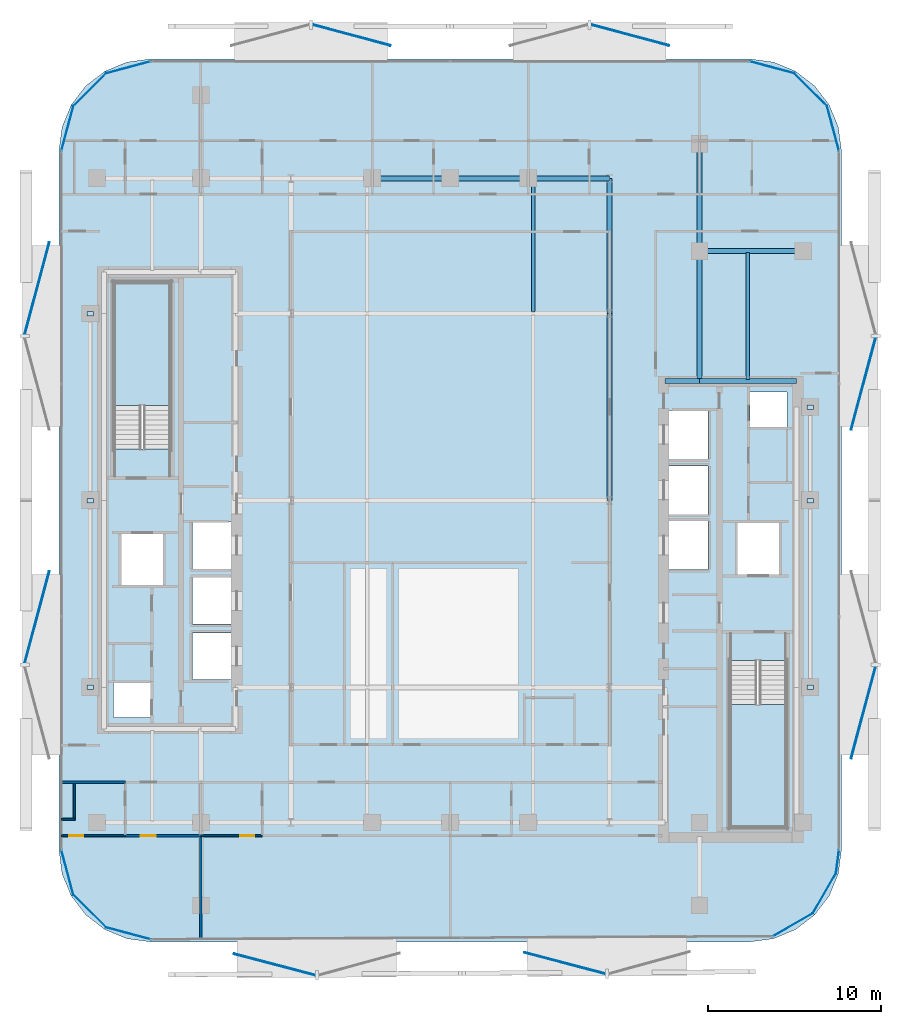
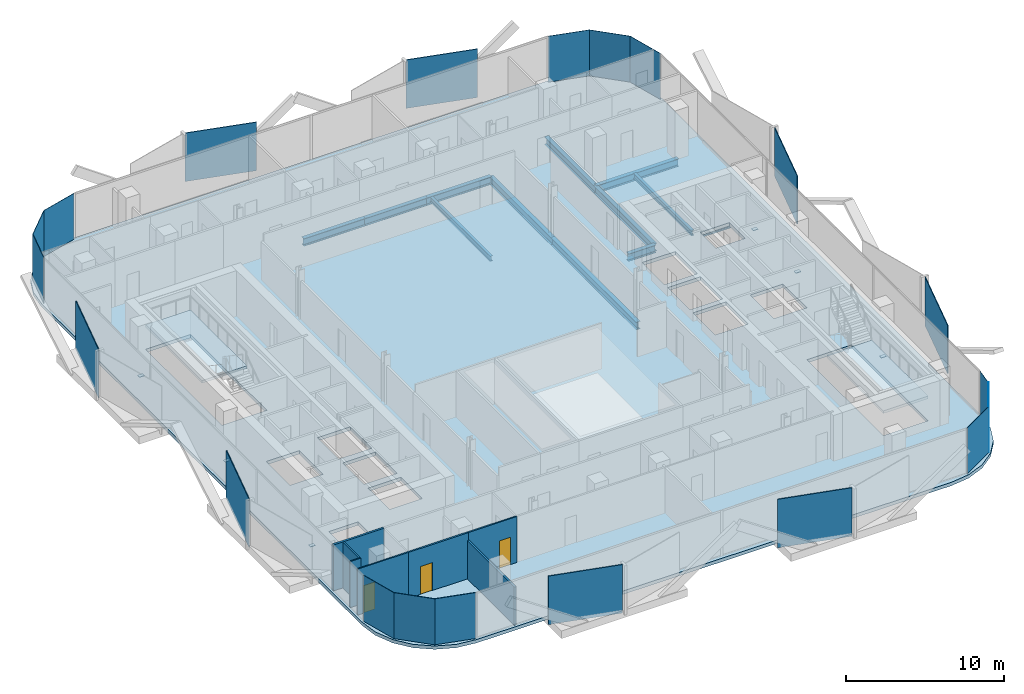
# One storey, part 2 of 17: 26 plates, 12 beams, 7 walls, 3 doors, 3 slabs, 3 openings, 2 elements without a shape of their own.
"""IFC4 building model written with IfcOpenShell, lengths in metres."""

from ifc_helpers import new_model, si_unit, direction, frame, frame_2d, origin, origin_2d, place, context, subcontext, project, spatial, polyline, rectangle, i_section, outline, extrude, material, layer, layer_set, material_profile, profile_set, type_object, element, fill, aggregate, save


model = new_model("IFC4")

# Units and contexts
model_context = context("Model", 3, precision=1e-05, world=origin(), true_north=direction((0.0, 1.0)))
body_context = subcontext(model_context, "Body", "Model", "MODEL_VIEW")
ifc_project = project(units=[si_unit("LENGTHUNIT", "METRE"), si_unit("AREAUNIT", "SQUARE_METRE"), si_unit("VOLUMEUNIT", "CUBIC_METRE"), si_unit("PLANEANGLEUNIT", "RADIAN"), si_unit("MASSUNIT", "GRAM", prefix="KILO")], contexts=[model_context])

# Site, building, storey
site_placement = place(None, origin())
site = spatial("IfcSite", under=ifc_project, at=site_placement, CompositionType="ELEMENT")
building_placement = place(site_placement, origin())
building = spatial("IfcBuilding", under=site, at=building_placement, Name="Khairoan Windgate Tower", CompositionType="ELEMENT")
storey_placement = place(building_placement, frame((0.0, 0.0, 168.800048828125)))
storey = spatial("IfcBuildingStorey", under=building, at=storey_placement, Name="L38", CompositionType="ELEMENT", Elevation=168.800048828125)

# Beams
ifc_material_1 = material(Name="Steel S355", Category="steel")
ifc_material_profile_1 = material_profile(ifc_material_1, i_section(OverallWidth=0.300048828125, OverallDepth=0.587890625, WebThickness=0.011962890625, FlangeThickness=0.02001953125, FilletRadius=0.02392578125, at=origin_2d()))
ifc_profile_set_1 = profile_set([ifc_material_profile_1], Name="Steel S355")
beam_type_1 = type_object("IfcBeamType", Name="Beam B-G4 H588x300x12x20", PredefinedType="BEAM", material=ifc_profile_set_1)
beam_1_placement = place(storey_placement, frame((12.39990234375, 6.89990234375, -0.553955078125), z_axis=(1.0, 0.0, 0.0), x_axis=(0.0, 1.0, 0.0)))
element("IfcBeam", 1, at=beam_1_placement, inside=storey, type_object=beam_type_1, Name="L38 E-W Primary Girder 15", PredefinedType="BEAM", context=body_context, shape_type="SweptSolid", body=[
    extrude(i_section(OverallWidth=0.300048828125, OverallDepth=0.587890625, WebThickness=0.011962890625, FlangeThickness=0.02001953125, FilletRadius=0.02392578125, at=origin_2d()), origin(), (0.0, 0.0, 1.0), 2.0),
])
beam_2_placement = place(storey_placement, frame((14.39990234375, 6.89990234375, -0.553955078125), z_axis=(1.0, 0.0, 0.0), x_axis=(0.0, 1.0, 0.0)))
element("IfcBeam", 2, at=beam_2_placement, inside=storey, type_object=beam_type_1, Name="L38 E-W Primary Girder 16", PredefinedType="BEAM", context=body_context, shape_type="SweptSolid", body=[
    extrude(i_section(OverallWidth=0.300048828125, OverallDepth=0.587890625, WebThickness=0.011962890625, FlangeThickness=0.02001953125, FilletRadius=0.02392578125, at=origin_2d()), origin(), (0.0, 0.0, 1.0), 5.60009765625),
])
beam_3_placement = place(storey_placement, frame((14.39990234375, 14.39990234375, -0.553955078125), z_axis=(1.0, 0.0, 0.0), x_axis=(0.0, 1.0, 0.0)))
element("IfcBeam", 3, at=beam_3_placement, inside=storey, type_object=beam_type_1, Name="L38 E-W Primary Girder 21", PredefinedType="BEAM", context=body_context, shape_type="SweptSolid", body=[
    extrude(i_section(OverallWidth=0.300048828125, OverallDepth=0.587890625, WebThickness=0.011962890625, FlangeThickness=0.02001953125, FilletRadius=0.02392578125, at=origin_2d()), origin(), (0.0, 0.0, 1.0), 6.0),
])
for number, where, z_axis, x_axis, name in (
    (4, (-4.5, 18.60009765625, -0.553955078125), (1.0, 0.0, 0.0), (0.0, 1.0, 0.0), "L38 E-W Primary Girder 25"),
    (5, (0.0, 18.60009765625, -0.553955078125), (1.0, 0.0, 0.0), (0.0, 1.0, 0.0), "L38 E-W Primary Girder 26"),
):
    element("IfcBeam", number, at=place(storey_placement, frame(where, z_axis=z_axis, x_axis=x_axis)), inside=storey, type_object=beam_type_1, Name=name, PredefinedType="BEAM", context=body_context, shape_type="SweptSolid", body=[
        extrude(i_section(OverallWidth=0.300048828125, OverallDepth=0.587890625, WebThickness=0.011962890625, FlangeThickness=0.02001953125, FilletRadius=0.02392578125, at=origin_2d()), origin(), (0.0, 0.0, 1.0), 4.5),
    ])
beam_4_placement = place(storey_placement, frame((4.5, 18.60009765625, -0.553955078125), z_axis=(1.0, 0.0, 0.0), x_axis=(0.0, 1.0, 0.0)))
element("IfcBeam", 6, at=beam_4_placement, inside=storey, type_object=beam_type_1, Name="L38 E-W Primary Girder 27", PredefinedType="BEAM", context=body_context, shape_type="SweptSolid", body=[
    extrude(i_section(OverallWidth=0.300048828125, OverallDepth=0.587890625, WebThickness=0.011962890625, FlangeThickness=0.02001953125, FilletRadius=0.02392578125, at=origin_2d()), origin(), (0.0, 0.0, 1.0), 4.699951171875),
])
beam_5_placement = place(storey_placement, frame((9.199951171875, 0.0, -0.553955078125), z_axis=(0.0, 1.0, 0.0), x_axis=(-1.0, 0.0, 0.0)))
element("IfcBeam", 7, at=beam_5_placement, inside=storey, type_object=beam_type_1, Name="L38 N-S Primary Beam 47", PredefinedType="BEAM", context=body_context, shape_type="SweptSolid", body=[
    extrude(i_section(OverallWidth=0.300048828125, OverallDepth=0.587890625, WebThickness=0.011962890625, FlangeThickness=0.02001953125, FilletRadius=0.02392578125, at=origin_2d()), origin(), (0.0, 0.0, 1.0), 10.800048828125),
])
beam_6_placement = place(storey_placement, frame((9.199951171875, 10.800048828125, -0.553955078125), z_axis=(0.0, 1.0, 0.0), x_axis=(-1.0, 0.0, 0.0)))
element("IfcBeam", 8, at=beam_6_placement, inside=storey, type_object=beam_type_1, Name="L38 N-S Primary Beam 48", PredefinedType="BEAM", context=body_context, shape_type="SweptSolid", body=[
    extrude(i_section(OverallWidth=0.300048828125, OverallDepth=0.587890625, WebThickness=0.011962890625, FlangeThickness=0.02001953125, FilletRadius=0.02392578125, at=origin_2d()), origin(), (0.0, 0.0, 1.0), 7.800048828125),
])
beam_7_placement = place(storey_placement, frame((14.39990234375, 6.89990234375, -0.553955078125), z_axis=(0.0, 1.0, 0.0), x_axis=(-1.0, 0.0, 0.0)))
element("IfcBeam", 9, at=beam_7_placement, inside=storey, type_object=beam_type_1, Name="L38 N-S Primary Beam 51", PredefinedType="BEAM", context=body_context, shape_type="SweptSolid", body=[
    extrude(i_section(OverallWidth=0.300048828125, OverallDepth=0.587890625, WebThickness=0.011962890625, FlangeThickness=0.02001953125, FilletRadius=0.02392578125, at=origin_2d()), origin(), (0.0, 0.0, 1.0), 7.5),
])
beam_8_placement = place(storey_placement, frame((14.39990234375, 14.39990234375, -0.553955078125), z_axis=(0.0, 1.0, 0.0), x_axis=(-1.0, 0.0, 0.0)))
element("IfcBeam", 10, at=beam_8_placement, inside=storey, type_object=beam_type_1, Name="L38 N-S Primary Beam 52", PredefinedType="BEAM", context=body_context, shape_type="SweptSolid", body=[
    extrude(i_section(OverallWidth=0.300048828125, OverallDepth=0.587890625, WebThickness=0.011962890625, FlangeThickness=0.02001953125, FilletRadius=0.02392578125, at=origin_2d()), origin(), (0.0, 0.0, 1.0), 6.2001953125),
])
ifc_material_2 = material(Name="Steel S355", Category="steel")
ifc_material_profile_2 = material_profile(ifc_material_2, i_section(OverallWidth=0.199951171875, OverallDepth=0.39990234375, WebThickness=0.008056640625, FlangeThickness=0.012939453125, FilletRadius=0.01611328125, at=origin_2d()))
ifc_profile_set_2 = profile_set([ifc_material_profile_2], Name="Steel S355")
beam_type_2 = type_object("IfcBeamType", Name="Beam J-S4 H400x200x8x13", PredefinedType="JOIST", material=ifc_profile_set_2)
beam_9_placement = place(storey_placement, frame((4.800048828125, 10.889892578125, -0.4599609375), z_axis=(0.0, 1.0, 0.0), x_axis=(-1.0, 0.0, 0.0)))
element("IfcBeam", 11, at=beam_9_placement, inside=storey, type_object=beam_type_2, Name="L38 Secondary Floor Joist 10", PredefinedType="JOIST", context=body_context, shape_type="SweptSolid", body=[
    extrude(i_section(OverallWidth=0.199951171875, OverallDepth=0.39990234375, WebThickness=0.008056640625, FlangeThickness=0.012939453125, FilletRadius=0.01611328125, at=origin_2d()), origin(), (0.0, 0.0, 1.0), 7.6201171875),
])
beam_10_placement = place(storey_placement, frame((17.199951171875, 6.989990234375, -0.4599609375), z_axis=(0.0, 1.0, 0.0), x_axis=(-1.0, 0.0, 0.0)))
element("IfcBeam", 12, at=beam_10_placement, inside=storey, type_object=beam_type_2, Name="L38 Secondary Floor Joist 11", PredefinedType="JOIST", context=body_context, shape_type="SweptSolid", body=[
    extrude(i_section(OverallWidth=0.199951171875, OverallDepth=0.39990234375, WebThickness=0.008056640625, FlangeThickness=0.012939453125, FilletRadius=0.01611328125, at=origin_2d()), origin(), (0.0, 0.0, 1.0), 7.320068359375),
])

# Plates
ifc_material_3 = material(Name="Low-E Solar Control Laminated Glass", Category="glass")
ifc_layer_1 = layer(ifc_material_3, 0.030029296875, Name="Low-E Solar Control Laminated Glass")
ifc_layer_set_1 = layer_set([ifc_layer_1], Name="Low-E Solar Control Laminated Glass")
plate_type_1 = type_object("IfcPlateType", Name="Aerodynamic Wind-Corner Curved Glazing Plate", PredefinedType="USERDEFINED", material=ifc_layer_set_1)
plate_1_placement = place(storey_placement, frame((-18.585205078125, -25.013916015625, 0.0), z_axis=(0.0, 0.0, 1.0), x_axis=(-0.966061211211, 0.258313252067, 0.0)))
element("IfcPlate", 13, at=plate_1_placement, inside=storey, type_object=plate_type_1, Name="L38 Aerodynamic Wind-Corner Curved Glazing Panel 2", ObjectType="GLAZING PANEL", PredefinedType="USERDEFINED", context=body_context, shape_type="SweptSolid", body=[
    extrude(rectangle(XDim=2.719482421875, YDim=0.030029296875, at=origin_2d()), origin(), (0.0, 0.0, 1.0), 3.5400390625),
])
plate_2_placement = place(storey_placement, frame((-20.823486328125, -23.723388671875, 0.0), z_axis=(0.0, 0.0, 1.0), x_axis=(-0.707106781187, 0.707106781187, 0.0)))
element("IfcPlate", 14, at=plate_2_placement, inside=storey, type_object=plate_type_1, Name="L38 Aerodynamic Wind-Corner Curved Glazing Panel 3", ObjectType="GLAZING PANEL", PredefinedType="USERDEFINED", context=body_context, shape_type="SweptSolid", body=[
    extrude(rectangle(XDim=2.710205078125, YDim=0.030029296875, at=origin_2d()), origin(), (0.0, 0.0, 1.0), 3.5400390625),
])
for number, where, z_axis, x_axis, name in (
    (15, (-22.11376953125, -21.485107421875, 0.0), (0.0, 0.0, 1.0), (-0.258313252067, 0.966061211211, 0.0), "L38 Aerodynamic Wind-Corner Curved Glazing Panel 4"),
    (16, (-22.11376953125, 21.485107421875, 0.0), (0.0, 0.0, 1.0), (0.258313252067, 0.966061211211, 0.0), "L38 Aerodynamic Wind-Corner Curved Glazing Panel 6"),
):
    element("IfcPlate", number, at=place(storey_placement, frame(where, z_axis=z_axis, x_axis=x_axis)), inside=storey, type_object=plate_type_1, Name=name, ObjectType="GLAZING PANEL", PredefinedType="USERDEFINED", context=body_context, shape_type="SweptSolid", body=[
        extrude(rectangle(XDim=2.719482421875, YDim=0.030029296875, at=origin_2d()), origin(), (0.0, 0.0, 1.0), 3.5400390625),
    ])
plate_3_placement = place(storey_placement, frame((-20.823486328125, 23.723388671875, 0.0), z_axis=(0.0, 0.0, 1.0), x_axis=(0.707106781187, 0.707106781187, 0.0)))
element("IfcPlate", 17, at=plate_3_placement, inside=storey, type_object=plate_type_1, Name="L38 Aerodynamic Wind-Corner Curved Glazing Panel 7", ObjectType="GLAZING PANEL", PredefinedType="USERDEFINED", context=body_context, shape_type="SweptSolid", body=[
    extrude(rectangle(XDim=2.710205078125, YDim=0.030029296875, at=origin_2d()), origin(), (0.0, 0.0, 1.0), 3.5400390625),
])
for number, where, z_axis, x_axis, name in (
    (18, (-18.585205078125, 25.013916015625, 0.0), (0.0, 0.0, 1.0), (0.966061211211, 0.258313252067, 0.0), "L38 Aerodynamic Wind-Corner Curved Glazing Panel 8"),
    (19, (18.585205078125, 25.013916015625, 0.0), (0.0, 0.0, 1.0), (0.966061211211, -0.258313252067, 0.0), "L38 Aerodynamic Wind-Corner Curved Glazing Panel 10"),
):
    element("IfcPlate", number, at=place(storey_placement, frame(where, z_axis=z_axis, x_axis=x_axis)), inside=storey, type_object=plate_type_1, Name=name, ObjectType="GLAZING PANEL", PredefinedType="USERDEFINED", context=body_context, shape_type="SweptSolid", body=[
        extrude(rectangle(XDim=2.719482421875, YDim=0.030029296875, at=origin_2d()), origin(), (0.0, 0.0, 1.0), 3.5400390625),
    ])
plate_4_placement = place(storey_placement, frame((20.823486328125, 23.723388671875, 0.0), z_axis=(0.0, 0.0, 1.0), x_axis=(0.707106781187, -0.707106781187, 0.0)))
element("IfcPlate", 20, at=plate_4_placement, inside=storey, type_object=plate_type_1, Name="L38 Aerodynamic Wind-Corner Curved Glazing Panel 11", ObjectType="GLAZING PANEL", PredefinedType="USERDEFINED", context=body_context, shape_type="SweptSolid", body=[
    extrude(rectangle(XDim=2.710205078125, YDim=0.030029296875, at=origin_2d()), origin(), (0.0, 0.0, 1.0), 3.5400390625),
])
plate_5_placement = place(storey_placement, frame((22.11376953125, 21.485107421875, 0.0), z_axis=(0.0, 0.0, 1.0), x_axis=(0.258313252067, -0.966061211211, 0.0)))
element("IfcPlate", 21, at=plate_5_placement, inside=storey, type_object=plate_type_1, Name="L38 Aerodynamic Wind-Corner Curved Glazing Panel 12", ObjectType="GLAZING PANEL", PredefinedType="USERDEFINED", context=body_context, shape_type="SweptSolid", body=[
    extrude(rectangle(XDim=2.719482421875, YDim=0.030029296875, at=origin_2d()), origin(), (0.0, 0.0, 1.0), 3.5400390625),
])
plate_6_placement = place(storey_placement, frame((22.37158203125, -20.863037109375, 0.0), z_axis=(0.0, 0.0, 1.0), x_axis=(-0.13052619222, -0.991444861374, 0.0)))
element("IfcPlate", 22, at=plate_6_placement, inside=storey, type_object=plate_type_1, Name="L38 Aerodynamic Wind-Corner Curved Glazing Panel 14", ObjectType="GLAZING PANEL", PredefinedType="USERDEFINED", context=body_context, shape_type="SweptSolid", body=[
    extrude(rectangle(XDim=1.39599609375, YDim=0.030029296875, at=origin_2d()), origin(), (0.0, 0.0, 1.0), 3.5400390625),
])
for number, where, z_axis, x_axis, name in (
    (23, (21.615478515625, -22.69140625, 0.0), (0.0, 0.0, 1.0), (-0.5, -0.866025403784, 0.0), "L38 Aerodynamic Wind-Corner Curved Glazing Panel 15"),
    (24, (19.79150390625, -24.515380859375, 0.0), (0.0, 0.0, 1.0), (-0.866025403784, -0.5, 0.0), "L38 Aerodynamic Wind-Corner Curved Glazing Panel 16"),
):
    element("IfcPlate", number, at=place(storey_placement, frame(where, z_axis=z_axis, x_axis=x_axis)), inside=storey, type_object=plate_type_1, Name=name, ObjectType="GLAZING PANEL", PredefinedType="USERDEFINED", context=body_context, shape_type="SweptSolid", body=[
        extrude(rectangle(XDim=2.71044921875, YDim=0.030029296875, at=origin_2d()), origin(), (0.0, 0.0, 1.0), 3.5400390625),
    ])
ifc_material_4 = material(Name="Steel S355", Category="steel")
ifc_layer_2 = layer(ifc_material_4, 0.0400390625, Name="Steel S355")
ifc_layer_set_2 = layer_set([ifc_layer_2], Name="Steel S355")
plate_type_2 = type_object("IfcPlateType", Name="Hollow Section End-Cap Plate PL-CAP40", PredefinedType="SHEET", material=ifc_layer_set_2)
for number, where, z_axis, x_axis, name in (
    (25, (-20.800048828125, -10.784912109375, -0.455078125), (0.0, 0.0, 1.0), (0.0, 1.0, 0.0), "BM-SP-L38-028 steel end-cap plate 1"),
    (26, (-20.800048828125, -0.014892578125, -0.455078125), (0.0, 0.0, 1.0), (0.0, 1.0, 0.0), "BM-SP-L38-028 steel end-cap plate 2"),
    (27, (-20.800048828125, 10.784912109375, -0.455078125), (0.0, 0.0, 1.0), (0.0, 1.0, 0.0), "BM-SP-L38-029 steel end-cap plate 2"),
    (28, (20.800048828125, -10.784912109375, -0.455078125), (0.0, 0.0, 1.0), (0.0, 1.0, 0.0), "BM-SP-L38-056 steel end-cap plate 1"),
    (29, (20.800048828125, -0.014892578125, -0.455078125), (0.0, 0.0, 1.0), (0.0, 1.0, 0.0), "BM-SP-L38-056 steel end-cap plate 2"),
    (30, (20.800048828125, 5.385009765625, -0.455078125), (0.0, 0.0, 1.0), (0.0, 1.0, 0.0), "BM-SP-L38-057 steel end-cap plate 2"),
):
    element("IfcPlate", number, at=place(storey_placement, frame(where, z_axis=z_axis, x_axis=x_axis)), inside=storey, type_object=plate_type_2, Name=name, PredefinedType="SHEET", context=body_context, shape_type="SweptSolid", body=[
        extrude(rectangle(XDim=0.27001953125, YDim=0.3701171875, at=origin_2d()), origin(), (0.0, 0.0, 1.0), 0.0400390625),
    ])
ifc_material_5 = material(Name="Anodised Bronze Aluminium 6063-T6", Category="aluminium")
ifc_layer_3 = layer(ifc_material_5, 0.054931640625, Name="Anodised Bronze Aluminium 6063-T6")
ifc_layer_set_3 = layer_set([ifc_layer_3], Name="Anodised Bronze Aluminium 6063-T6")
plate_type_3 = type_object("IfcPlateType", Name="Perforated Bronze Solar Screen Panel BSP-1", PredefinedType="USERDEFINED", material=ifc_layer_set_3)
for number, where, z_axis, x_axis, name in (
    (31, (6.623291015625, -26.733154296875, -0.10009765625), (0.0, 0.0, 1.0), (-0.967179115616, 0.254095569259, 0.0), "L38 Perforated Bronze Solar Screen Panel 241R"),
    (32, (-10.1396484375, -26.815673828125, -0.10009765625), (0.0, 0.0, 1.0), (-0.967179115616, 0.254095569259, 0.0), "L38 Perforated Bronze Solar Screen Panel 242R"),
):
    element("IfcPlate", number, at=place(storey_placement, frame(where, z_axis=z_axis, x_axis=x_axis)), inside=storey, type_object=plate_type_3, Name=name, ObjectType="SCREEN", PredefinedType="USERDEFINED", context=body_context, shape_type="SweptSolid", body=[
        extrude(rectangle(XDim=4.861083984375, YDim=0.054931640625, at=origin_2d()), origin(), (0.0, 0.0, 1.0), 3.739990234375),
    ])
for number, where, z_axis, x_axis, name in (
    (33, (-23.8671875, -6.74560546875, -0.10009765625), (0.0, 0.0, 1.0), (0.258819045103, 0.965925826289, 0.0), "L38 Perforated Bronze Solar Screen Panel 243R"),
    (34, (-23.8671875, 12.2451171875, -0.10009765625), (0.0, 0.0, 1.0), (0.258819045103, 0.965925826289, 0.0), "L38 Perforated Bronze Solar Screen Panel 244R"),
):
    element("IfcPlate", number, at=place(storey_placement, frame(where, z_axis=z_axis, x_axis=x_axis)), inside=storey, type_object=plate_type_3, Name=name, ObjectType="SCREEN", PredefinedType="USERDEFINED", context=body_context, shape_type="SweptSolid", body=[
        extrude(rectangle(XDim=5.507080078125, YDim=0.054931640625, at=origin_2d()), origin(), (0.0, 0.0, 1.0), 3.739990234375),
    ])
for number, where, z_axis, x_axis, name in (
    (35, (-5.701904296875, 26.876220703125, -0.10009765625), (0.0, 0.0, 1.0), (0.965925826289, -0.258819045103, 0.0), "L38 Perforated Bronze Solar Screen Panel 245R"),
    (36, (10.388916015625, 26.876220703125, -0.10009765625), (0.0, 0.0, 1.0), (0.965925826289, -0.258819045103, 0.0), "L38 Perforated Bronze Solar Screen Panel 246R"),
):
    element("IfcPlate", number, at=place(storey_placement, frame(where, z_axis=z_axis, x_axis=x_axis)), inside=storey, type_object=plate_type_3, Name=name, ObjectType="SCREEN", PredefinedType="USERDEFINED", context=body_context, shape_type="SweptSolid", body=[
        extrude(rectangle(XDim=4.666015625, YDim=0.054931640625, at=origin_2d()), origin(), (0.0, 0.0, 1.0), 3.739990234375),
    ])
for number, where, z_axis, x_axis, name in (
    (37, (23.8671875, 6.74560546875, -0.10009765625), (0.0, 0.0, 1.0), (-0.258819045103, -0.965925826289, 0.0), "L38 Perforated Bronze Solar Screen Panel 247R"),
    (38, (23.8671875, -12.2451171875, -0.10009765625), (0.0, 0.0, 1.0), (-0.258819045103, -0.965925826289, 0.0), "L38 Perforated Bronze Solar Screen Panel 248R"),
):
    element("IfcPlate", number, at=place(storey_placement, frame(where, z_axis=z_axis, x_axis=x_axis)), inside=storey, type_object=plate_type_3, Name=name, ObjectType="SCREEN", PredefinedType="USERDEFINED", context=body_context, shape_type="SweptSolid", body=[
        extrude(rectangle(XDim=5.507080078125, YDim=0.054931640625, at=origin_2d()), origin(), (0.0, 0.0, 1.0), 3.739990234375),
    ])

# Stair, slab
ifc_material_6 = material(Name="Concrete C40/50", Category="concrete")
stair_type = type_object("IfcStairType", Name="Tower Core Dog-Leg Stair ST-T1 1560mm", PredefinedType="HALF_TURN_STAIR", material=ifc_material_6)
stair_1_placement = place(storey_placement, origin())
stair_1 = element("IfcStair", 39, at=stair_1_placement, inside=storey, type_object=stair_type, Name="L38 Stair ST1", PredefinedType="HALF_TURN_STAIR")
ifc_material_7 = material(Name="Concrete C40/50", Category="concrete")
ifc_layer_4 = layer(ifc_material_7, 0.199951171875, Name="Concrete C40/50")
ifc_layer_set_4 = layer_set([ifc_layer_4], Name="Concrete C40/50")
slab_type_1 = type_object("IfcSlabType", Name="Reinforced Concrete Stair Landing Slab STL-200", PredefinedType="LANDING", material=ifc_layer_set_4)
slab_1_placement = place(storey_placement, frame((0.0, 0.0, 1.699951171875)))
slab_1 = element("IfcSlab", 40, at=slab_1_placement, type_object=slab_type_1, Name="ST1 landing 1", PredefinedType="LANDING", context=body_context, shape_type="SweptSolid", body=[
    extrude(outline(polyline([(16.14990234375, -11.780029296875), (16.14990234375, -18.89990234375), (19.419921875, -18.89990234375), (19.419921875, -11.780029296875), (16.14990234375, -11.780029296875)])), origin(), (0.0, 0.0, 1.0), 0.199951171875),
])
aggregate(stair_1, [slab_1])

stair_2_placement = place(storey_placement, origin())
stair_2 = element("IfcStair", 41, at=stair_2_placement, inside=storey, type_object=stair_type, Name="L38 Stair ST2", PredefinedType="HALF_TURN_STAIR")
slab_2_placement = place(storey_placement, frame((0.0, 0.0, 1.699951171875)))
slab_2 = element("IfcSlab", 42, at=slab_2_placement, type_object=slab_type_1, Name="ST2 landing 1", PredefinedType="LANDING", context=body_context, shape_type="SweptSolid", body=[
    extrude(outline(polyline([(-16.14990234375, 5.47998046875), (-16.14990234375, 12.60009765625), (-19.419921875, 12.60009765625), (-19.419921875, 5.47998046875), (-16.14990234375, 5.47998046875)])), origin(), (0.0, 0.0, 1.0), 0.199951171875),
])
aggregate(stair_2, [slab_2])

# Slab
ifc_material_8 = material(Name="Concrete C40/50", Category="concrete")
ifc_layer_5 = layer(ifc_material_8, 0.260009765625, Name="Concrete C40/50")
ifc_layer_set_5 = layer_set([ifc_layer_5], Name="Concrete C40/50")
slab_type_2 = type_object("IfcSlabType", Name="Tower Composite Floor Slab FS2 260mm", PredefinedType="FLOOR", material=ifc_layer_set_5)
slab_3_placement = place(storey_placement, frame((0.0, 0.0, -0.260009765625)))
element("IfcSlab", 43, at=slab_3_placement, inside=storey, type_object=slab_type_2, Name="L38 Structural Floor Slab", PredefinedType="FLOOR", context=body_context, shape_type="SweptSolid", body=[
    extrude(outline(polyline([(17.300048828125, -25.5), (18.671630859375, -25.3193359375), (19.949951171875, -24.789794921875), (21.047607421875, -23.94775390625), (21.889892578125, -22.85009765625), (22.41943359375, -21.57177734375), (22.60009765625, -20.199951171875), (22.60009765625, 20.199951171875), (22.41943359375, 21.57177734375), (21.889892578125, 22.85009765625), (21.047607421875, 23.94775390625), (19.949951171875, 24.789794921875), (18.671630859375, 25.3193359375), (17.300048828125, 25.5), (-17.300048828125, 25.5), (-18.671630859375, 25.3193359375), (-19.949951171875, 24.789794921875), (-21.047607421875, 23.94775390625), (-21.889892578125, 22.85009765625), (-22.41943359375, 21.57177734375), (-22.60009765625, 20.199951171875), (-22.60009765625, -20.199951171875), (-22.41943359375, -21.57177734375), (-21.889892578125, -22.85009765625), (-21.047607421875, -23.94775390625), (-19.949951171875, -24.789794921875), (-18.671630859375, -25.3193359375), (-17.300048828125, -25.5), (17.300048828125, -25.5)]), holes=[polyline([(16.14990234375, -9.260009765625), (16.14990234375, -18.89990234375), (19.419921875, -18.89990234375), (19.419921875, -9.260009765625), (16.14990234375, -9.260009765625)]), polyline([(-16.14990234375, 2.9599609375), (-16.14990234375, 12.60009765625), (-19.419921875, 12.60009765625), (-19.419921875, 2.9599609375), (-16.14990234375, 2.9599609375)]), polyline([(-14.89990234375, -3.949951171875), (-12.5, -3.949951171875), (-12.5, -1.25), (-14.89990234375, -1.25), (-14.89990234375, -3.949951171875)]), polyline([(-14.89990234375, -7.14990234375), (-12.5, -7.14990234375), (-12.5, -4.449951171875), (-14.89990234375, -4.449951171875), (-14.89990234375, -7.14990234375)]), polyline([(-14.89990234375, -10.35009765625), (-12.5, -10.35009765625), (-12.5, -7.64990234375), (-14.89990234375, -7.64990234375), (-14.89990234375, -10.35009765625)]), polyline([(12.5, 2.39990234375), (14.89990234375, 2.39990234375), (14.89990234375, 5.199951171875), (12.5, 5.199951171875), (12.5, 2.39990234375)]), polyline([(12.5, -0.800048828125), (14.89990234375, -0.800048828125), (14.89990234375, 2.0), (12.5, 2.0), (12.5, -0.800048828125)]), polyline([(12.5, -4.0), (14.89990234375, -4.0), (14.89990234375, -1.199951171875), (12.5, -1.199951171875), (12.5, -4.0)]), polyline([(16.60009765625, -4.300048828125), (19.0, -4.300048828125), (19.0, -1.300048828125), (16.60009765625, -1.300048828125), (16.60009765625, -4.300048828125)]), polyline([(-19.0, -4.89990234375), (-16.60009765625, -4.89990234375), (-16.60009765625, -1.89990234375), (-19.0, -1.89990234375), (-19.0, -4.89990234375)]), polyline([(-19.449951171875, -12.550048828125), (-17.31005859375, -12.550048828125), (-17.31005859375, -10.550048828125), (-19.449951171875, -10.550048828125), (-19.449951171875, -12.550048828125)]), polyline([(17.31005859375, 4.25), (19.449951171875, 4.25), (19.449951171875, 6.25), (17.31005859375, 6.25), (17.31005859375, 4.25)])]), origin(), (0.0, 0.0, 1.0), 0.260009765625),
])

# Wall, opening, door
ifc_material_9 = material(Name="Moisture-Resistant Gypsum Partition", Category="gypsum")
ifc_layer_6 = layer(ifc_material_9, 0.10009765625, Name="Moisture-Resistant Gypsum Partition")
ifc_layer_set_6 = layer_set([ifc_layer_6], Name="Moisture-Resistant Gypsum Partition")
wall_type_1 = type_object("IfcWallType", Name="Bathroom Wet-Area Partition Wall", PredefinedType="PARTITIONING", material=ifc_layer_set_6)
wall_1_placement = place(storey_placement, frame((-22.455078125, -19.3701171875, 0.0), z_axis=(0.0, 0.0, 1.0), x_axis=(1.0, 0.0, 0.0)))
wall_1 = element("IfcWall", 44, at=wall_1_placement, inside=storey, type_object=wall_type_1, Name="L38 Interior Partition 076", PredefinedType="PARTITIONING", context=body_context, shape_type="SweptSolid", body=[
    extrude(rectangle(XDim=3.691162109375, YDim=0.10009765625, at=frame_2d((1.845703125, 0.0))), origin(), (0.0, 0.0, 1.0), 3.5400390625),
])
opening_1_placement = place(wall_1_placement, frame((0.4599609375, 0.0, 0.0)))
opening_1 = element("IfcOpeningElement", 45, at=opening_1_placement, cuts=wall_1, Name="Opening ID-BTH", PredefinedType="OPENING", context=body_context, shape_type="SweptSolid", body=[
    extrude(rectangle(XDim=0.800048828125, YDim=2.10009765625, at=frame_2d((0.39990234375, 1.050048828125))), frame((0.0, 0.06005859375, 0.0), z_axis=(0.0, -1.0, 0.0), x_axis=(1.0, 0.0, 0.0)), (0.0, 0.0, 1.0), 0.1201171875),
])
ifc_material_10 = material(Name="Teak Veneer Timber Leaf", Category="wood")
door_type_1 = type_object("IfcDoorType", Name="Internal Bathroom Door ID-BTH 800x2100", OperationType="NOTDEFINED", PredefinedType="DOOR", material=ifc_material_10)
door_1_placement = place(opening_1_placement, origin())
door_1 = element("IfcDoor", 46, at=door_1_placement, inside=storey, type_object=door_type_1, Name="L38 L38-55-L38-57 Door", OperationType="SINGLE_SWING_RIGHT", OverallHeight=2.10009765625, OverallWidth=0.800048828125, PredefinedType="DOOR", context=body_context, shape_type="SweptSolid", body=[
    extrude(rectangle(XDim=0.800048828125, YDim=2.10009765625, at=frame_2d((0.39990234375, 1.050048828125))), frame((0.0, 0.02490234375, 0.0), z_axis=(0.0, -1.0, 0.0), x_axis=(1.0, 0.0, 0.0)), (0.0, 0.0, 1.0), 0.050048828125),
])
fill(opening_1, door_1)

wall_2_placement = place(storey_placement, frame((-14.39990234375, -19.3701171875, 0.0), z_axis=(0.0, 0.0, 1.0), x_axis=(1.0, 0.0, 0.0)))
wall_2 = element("IfcWall", 47, at=wall_2_placement, inside=storey, type_object=wall_type_1, Name="L38 Interior Partition 081", PredefinedType="PARTITIONING", context=body_context, shape_type="SweptSolid", body=[
    extrude(rectangle(XDim=3.539794921875, YDim=0.10009765625, at=frame_2d((1.77001953125, 0.0))), origin(), (0.0, 0.0, 1.0), 3.5400390625),
])
opening_2_placement = place(wall_2_placement, frame((2.280029296875, 0.0, 0.0)))
opening_2 = element("IfcOpeningElement", 48, at=opening_2_placement, cuts=wall_2, Name="Opening ID-BTH", PredefinedType="OPENING", context=body_context, shape_type="SweptSolid", body=[
    extrude(rectangle(XDim=0.800048828125, YDim=2.10009765625, at=frame_2d((0.39990234375, 1.050048828125))), frame((0.0, 0.06005859375, 0.0), z_axis=(0.0, -1.0, 0.0), x_axis=(1.0, 0.0, 0.0)), (0.0, 0.0, 1.0), 0.1201171875),
])
door_2_placement = place(opening_2_placement, origin())
door_2 = element("IfcDoor", 49, at=door_2_placement, inside=storey, type_object=door_type_1, Name="L38 L38-58-L38-60 Door", OperationType="SINGLE_SWING_LEFT", OverallHeight=2.10009765625, OverallWidth=0.800048828125, PredefinedType="DOOR", context=body_context, shape_type="SweptSolid", body=[
    extrude(rectangle(XDim=0.800048828125, YDim=2.10009765625, at=frame_2d((0.39990234375, 1.050048828125))), frame((0.0, 0.02490234375, 0.0), z_axis=(0.0, -1.0, 0.0), x_axis=(1.0, 0.0, 0.0)), (0.0, 0.0, 1.0), 0.050048828125),
])
fill(opening_2, door_2)

# Walls
wall_3_placement = place(storey_placement, frame((-21.669921875, -18.419921875, 0.0), z_axis=(0.0, 0.0, 1.0), x_axis=(-1.0, 0.0, 0.0)))
element("IfcWall", 50, at=wall_3_placement, inside=storey, type_object=wall_type_1, Name="L38 Wet Room Side Wall 093", PredefinedType="PARTITIONING", context=body_context, shape_type="SweptSolid", body=[
    extrude(rectangle(XDim=0.78515625, YDim=0.10009765625, at=frame_2d((0.392578125, 0.0))), origin(), (0.0, 0.0, 1.0), 3.5400390625),
])
wall_4_placement = place(storey_placement, frame((-21.719970703125, -18.3701171875, 0.0), z_axis=(0.0, 0.0, 1.0), x_axis=(0.0, 1.0, 0.0)))
element("IfcWall", 51, at=wall_4_placement, inside=storey, type_object=wall_type_1, Name="L38 Wet Room Side Wall 094", PredefinedType="PARTITIONING", context=body_context, shape_type="SweptSolid", body=[
    extrude(rectangle(XDim=2.01513671875, YDim=0.10009765625, at=frame_2d((1.007568359375, 0.0))), origin(), (0.0, 0.0, 1.0), 3.5400390625),
])
ifc_material_11 = material(Name="Acoustic Fire-Rated Gypsum Partition", Category="gypsum")
ifc_layer_7 = layer(ifc_material_11, 0.139892578125, Name="Acoustic Fire-Rated Gypsum Partition")
ifc_layer_set_7 = layer_set([ifc_layer_7], Name="Acoustic Fire-Rated Gypsum Partition")
wall_type_2 = type_object("IfcWallType", Name="Inter-Tenancy Compartment Wall", PredefinedType="PARTITIONING", material=ifc_layer_set_7)
wall_5_placement = place(storey_placement, frame((-14.39990234375, -25.3408203125, 0.0), z_axis=(0.0, 0.0, 1.0), x_axis=(0.0, 1.0, 0.0)))
element("IfcWall", 52, at=wall_5_placement, inside=storey, type_object=wall_type_2, Name="L38 Interior Partition 079", PredefinedType="PARTITIONING", context=body_context, shape_type="SweptSolid", body=[
    extrude(rectangle(XDim=5.970703125, YDim=0.139892578125, at=frame_2d((2.9853515625, 0.0))), origin(), (0.0, 0.0, 1.0), 2.951904296875),
])

# Wall, opening, door
ifc_material_12 = material(Name="Gypsum Stud Partition", Category="gypsum")
ifc_layer_8 = layer(ifc_material_12, 0.1201171875, Name="Gypsum Stud Partition")
ifc_layer_set_8 = layer_set([ifc_layer_8], Name="Gypsum Stud Partition")
wall_type_3 = type_object("IfcWallType", Name="Internal Room Partition Wall", PredefinedType="PARTITIONING", material=ifc_layer_set_8)
wall_6_placement = place(storey_placement, frame((-18.763916015625, -19.3701171875, 0.0), z_axis=(0.0, 0.0, 1.0), x_axis=(1.0, 0.0, 0.0)))
wall_6 = element("IfcWall", 53, at=wall_6_placement, inside=storey, type_object=wall_type_3, Name="L38 Interior Partition 077", PredefinedType="PARTITIONING", context=body_context, shape_type="SweptSolid", body=[
    extrude(rectangle(XDim=4.364013671875, YDim=0.1201171875, at=frame_2d((2.18212890625, 0.0))), origin(), (0.0, 0.0, 1.0), 3.5400390625),
])
opening_3_placement = place(wall_6_placement, frame((0.890625, 0.0, 0.0)))
opening_3 = element("IfcOpeningElement", 54, at=opening_3_placement, cuts=wall_6, Name="Opening ID-RM", PredefinedType="OPENING", context=body_context, shape_type="SweptSolid", body=[
    extrude(rectangle(XDim=0.860107421875, YDim=2.14990234375, at=frame_2d((0.43017578125, 1.074951171875))), frame((0.0, 0.070068359375, 0.0), z_axis=(0.0, -1.0, 0.0), x_axis=(1.0, 0.0, 0.0)), (0.0, 0.0, 1.0), 0.14013671875),
])
ifc_material_13 = material(Name="Teak Veneer Timber Leaf", Category="wood")
door_type_2 = type_object("IfcDoorType", Name="Internal Bedroom and Office Door ID-RM 860x2150", OperationType="NOTDEFINED", PredefinedType="DOOR", material=ifc_material_13)
door_3_placement = place(opening_3_placement, origin())
door_3 = element("IfcDoor", 55, at=door_3_placement, inside=storey, type_object=door_type_2, Name="L38 L38-56-L38-57 Door", OperationType="SINGLE_SWING_LEFT", OverallHeight=2.14990234375, OverallWidth=0.860107421875, PredefinedType="DOOR", context=body_context, shape_type="SweptSolid", body=[
    extrude(rectangle(XDim=0.860107421875, YDim=2.14990234375, at=frame_2d((0.43017578125, 1.074951171875))), frame((0.0, 0.02490234375, 0.0), z_axis=(0.0, -1.0, 0.0), x_axis=(1.0, 0.0, 0.0)), (0.0, 0.0, 1.0), 0.050048828125),
])
fill(opening_3, door_3)

# Wall
ifc_material_14 = material(Name="Acoustic Fire-Rated Gypsum Partition", Category="gypsum")
ifc_layer_9 = layer(ifc_material_14, 0.14990234375, Name="Acoustic Fire-Rated Gypsum Partition")
ifc_layer_set_9 = layer_set([ifc_layer_9], Name="Acoustic Fire-Rated Gypsum Partition")
wall_type_4 = type_object("IfcWallType", Name="Rated Corridor Partition Wall", PredefinedType="PARTITIONING", material=ifc_layer_set_9)
wall_7_placement = place(storey_placement, frame((-22.455078125, -16.280029296875, 0.0), z_axis=(0.0, 0.0, 1.0), x_axis=(1.0, 0.0, 0.0)))
element("IfcWall", 56, at=wall_7_placement, inside=storey, type_object=wall_type_4, Name="L38 Interior Partition 037", PredefinedType="PARTITIONING", context=body_context, shape_type="SweptSolid", body=[
    extrude(rectangle(XDim=3.691162109375, YDim=0.14990234375, at=frame_2d((1.845703125, 0.0))), origin(), (0.0, 0.0, 1.0), 3.5400390625),
])

save(model, "model.ifc")
